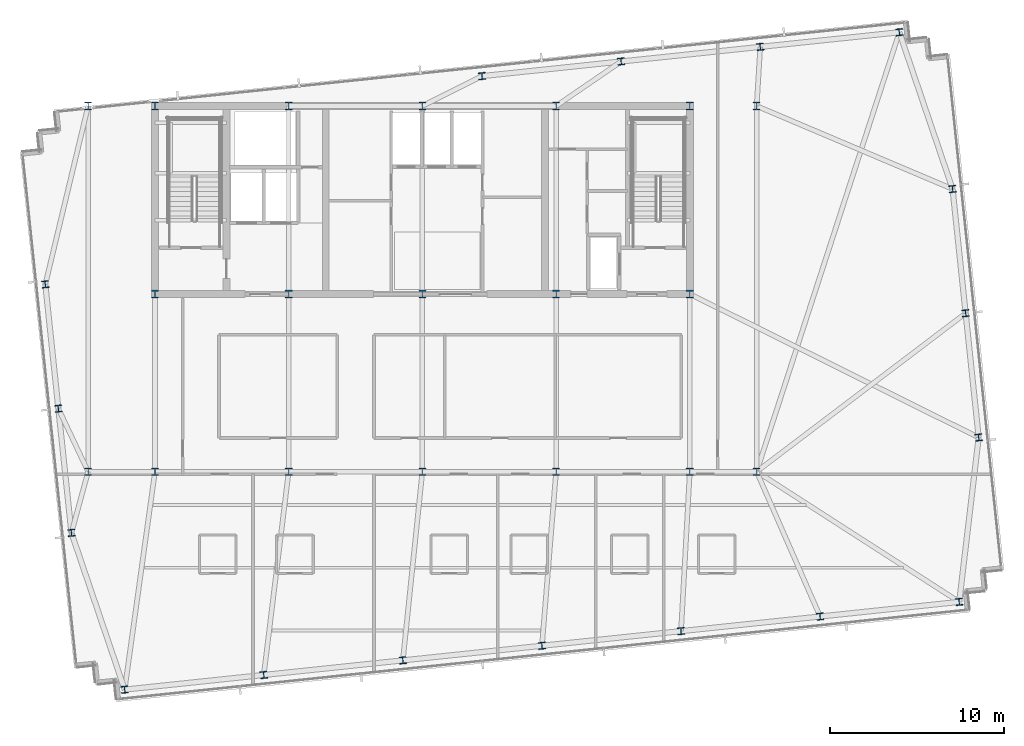
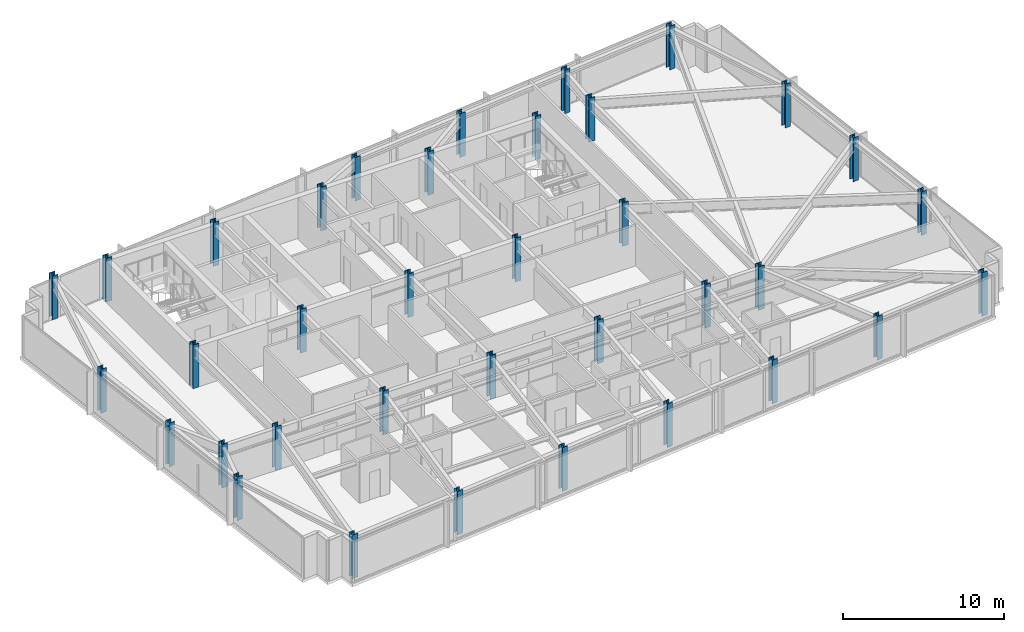
# One storey, part 1 of 33: 36 columns.
"""IFC4 building model written with IfcOpenShell, lengths in metres."""

import ifcopenshell
import ifcopenshell.guid

model = None  # the IFC model being written
_history = None  # IfcOwnerHistory: only IFC2X3 demands one
_inside = {}  # id of a spatial element -> (the spatial element, [elements in it])
_under = {}  # id of a project, library or spatial element -> (it, [spatial elements below it])
_declared = {}  # id of a project -> (the project, [libraries it declares])
_typed = {}  # id of a type object -> (the type object, [elements of that type])
_made_of = {}  # id of a material, layer set ... -> (it, [elements and type objects made of it])


def new_model(schema):
    """Start an empty IFC model of exactly this schema.

    Asked for "IFC4X3", IfcOpenShell would pick the latest addendum, in which some entities
    have other attributes; the version numbers below select the first issue.
    IFC2X3 requires an IfcOwnerHistory on every rooted entity: one is made here for all.
    """
    global model, _history
    if schema == "IFC4X3":
        model = ifcopenshell.file(schema_version=(4, 3, 0, 0))
    else:
        model = ifcopenshell.file(schema=schema)
    _inside.clear()
    _under.clear()
    _declared.clear()
    _typed.clear()
    _made_of.clear()
    _history = None
    if model.schema == "IFC2X3":
        org = make("IfcOrganization", Name="unknown")
        user = make(
            "IfcPersonAndOrganization",
            ThePerson=make("IfcPerson", FamilyName="unknown"),
            TheOrganization=org,
        )
        app = make(
            "IfcApplication",
            ApplicationDeveloper=org,
            Version="unknown",
            ApplicationFullName="unknown",
            ApplicationIdentifier="unknown",
        )
        _history = make(
            "IfcOwnerHistory",
            OwningUser=user,
            OwningApplication=app,
            ChangeAction="ADDED",
            CreationDate=0,
        )
    return model


def make(cls, **values):
    """One entity of the class cls with the attributes given. An attribute that is None is left unset."""
    return model.create_entity(
        cls, **{name: value for name, value in values.items() if value is not None}
    )


def rooted(cls, **values):
    """An entity with a GlobalId (a new one), such as an element, a storey or a relation."""
    return make(cls, GlobalId=ifcopenshell.guid.new(), OwnerHistory=_history, **values)


def si_unit(unit_type, name, prefix=None):
    """IfcSIUnit, for example si_unit("LENGTHUNIT", "METRE", prefix="MILLI")."""
    return make("IfcSIUnit", UnitType=unit_type, Prefix=prefix, Name=name)


def assignment(units):
    """IfcUnitAssignment: the units of a project."""
    return None if units is None else make("IfcUnitAssignment", Units=units)


def point(xyz):
    """IfcCartesianPoint."""
    return None if xyz is None else make("IfcCartesianPoint", Coordinates=xyz)


def direction(xyz):
    """IfcDirection."""
    return None if xyz is None else make("IfcDirection", DirectionRatios=xyz)


def frame(location, z_axis=None, x_axis=None):
    """IfcAxis2Placement3D, a coordinate frame: its origin and axes. An axis left out is left unset."""
    return make(
        "IfcAxis2Placement3D",
        Location=point(location),
        Axis=direction(z_axis),
        RefDirection=direction(x_axis),
    )


def frame_2d(location, x_axis=None):
    """IfcAxis2Placement2D, a coordinate frame in the plane: its origin and x axis."""
    return make(
        "IfcAxis2Placement2D", Location=point(location), RefDirection=direction(x_axis)
    )


def origin():
    """The frame at (0, 0, 0) with its axes left unset."""
    return frame((0.0, 0.0, 0.0))


def origin_2d():
    """The frame at (0, 0) in the plane with its x axis left unset."""
    return frame_2d((0.0, 0.0))


def place(relative_to, where):
    """IfcLocalPlacement: puts the frame where relative to a parent placement (None: the world)."""
    return make(
        "IfcLocalPlacement", PlacementRelTo=relative_to, RelativePlacement=where
    )


def context(
    kind, dimensions, precision=None, world=None, true_north=None, identifier=None
):
    """IfcGeometricRepresentationContext, for example the 3D "Model" context."""
    return make(
        "IfcGeometricRepresentationContext",
        ContextIdentifier=identifier,
        ContextType=kind,
        CoordinateSpaceDimension=dimensions,
        Precision=precision,
        WorldCoordinateSystem=world,
        TrueNorth=true_north,
    )


def subcontext(parent, identifier, kind, view, scale=None):
    """IfcGeometricRepresentationSubContext, for example "Body" below "Model"."""
    return make(
        "IfcGeometricRepresentationSubContext",
        ContextIdentifier=identifier,
        ContextType=kind,
        ParentContext=parent,
        TargetScale=scale,
        TargetView=view,
    )


def project(units=None, contexts=None):
    """IfcProject with its units and contexts."""
    return rooted(
        "IfcProject",
        Name="project",
        RepresentationContexts=contexts,
        UnitsInContext=assignment(units),
    )


def spatial(cls, under=None, at=None, **own):
    """A site, building, storey or space (cls), placed at a placement, below another one or the project."""
    s = rooted(cls, ObjectPlacement=at, **own)
    if under is not None:
        _under.setdefault(under.id(), (under, []))[1].append(s)
    return s


def profile(cls, at=None, kind="AREA", **sizes):
    """A parametric profile (cls). Its sizes go by their IFC names, for example OverallWidth=200.0."""
    return make(cls, ProfileType=kind, Position=at, **sizes)


def i_section(**sizes):
    """IfcIShapeProfileDef."""
    return profile("IfcIShapeProfileDef", **sizes)


def extrude(swept, where, along, depth):
    """IfcExtrudedAreaSolid: the profile swept, set in the frame where, extruded along a direction by depth."""
    return make(
        "IfcExtrudedAreaSolid",
        SweptArea=swept,
        Position=where,
        ExtrudedDirection=direction(along),
        Depth=depth,
    )


def shape(context_of_items, identifier, shape_type, items):
    """IfcShapeRepresentation: the items that make up one representation, for example the "Body"."""
    return make(
        "IfcShapeRepresentation",
        ContextOfItems=context_of_items,
        RepresentationIdentifier=identifier,
        RepresentationType=shape_type,
        Items=items,
    )


def material(Name=None, Category=None):
    """IfcMaterial."""
    return make("IfcMaterial", Name=Name, Category=Category)


def material_profile(
    of_material, cross_section, Name=None, Category=None, Priority=None
):
    """IfcMaterialProfile: a cross section and its material."""
    return make(
        "IfcMaterialProfile",
        Name=Name,
        Material=of_material,
        Profile=cross_section,
        Priority=Priority,
        Category=Category,
    )


def profile_set(profiles, Name=None, composite=None):
    """IfcMaterialProfileSet."""
    return make(
        "IfcMaterialProfileSet",
        Name=Name,
        MaterialProfiles=profiles,
        CompositeProfile=composite,
    )


def made_of(thing, what):
    """Note that an element or type object is made of a material, layer set ...; save() writes the relation."""
    if what is not None:
        _made_of.setdefault(what.id(), (what, []))[1].append(thing)
    return thing


def type_object(cls, material=None, **own):
    """A type object (cls), such as IfcWallType, which elements share."""
    return made_of(rooted(cls, **own), material)


def element(
    cls,
    number,
    at=None,
    inside=None,
    cuts=None,
    type_object=None,
    material=None,
    context=None,
    identifier="Body",
    shape_type=None,
    held_by="IfcProductDefinitionShape",
    body=None,
    shapes=None,
    **own,
):
    """One element of the class cls, such as IfcWall. Its Tag is "e" and its number.

    at: its placement. inside: the storey or other place that contains it. cuts: it is an
    opening in that element (IfcRelVoidsElement). A single representation is given by context,
    identifier, shape_type and body (its items); several are given by shapes. held_by: the class
    of the entity that holds the representations. save() writes the other relations.
    """
    e = rooted(cls, Tag="e%d" % number, ObjectPlacement=at, **own)
    if body is not None:
        shapes = [shape(context, identifier, shape_type, body)]
    if shapes is not None:
        e.Representation = make(held_by, Representations=shapes)
    if inside is not None:
        _inside.setdefault(inside.id(), (inside, []))[1].append(e)
    if cuts is not None:
        rooted(
            "IfcRelVoidsElement", RelatingBuildingElement=cuts, RelatedOpeningElement=e
        )
    if type_object is not None:
        _typed.setdefault(type_object.id(), (type_object, []))[1].append(e)
    return made_of(e, material)


def aggregate(whole, parts):
    """IfcRelAggregates: a whole, such as a stair, and the parts it consists of."""
    return rooted("IfcRelAggregates", RelatingObject=whole, RelatedObjects=parts)


def save(model, path):
    """Write the relations noted so far, then the file.

    IfcRelAggregates (storeys below a building ...), IfcRelContainedInSpatialStructure (elements
    in a storey), IfcRelDefinesByType, IfcRelAssociatesMaterial and IfcRelDeclares: one each for
    every whole, place, type object, material and project.
    """
    for whole, parts in _under.values():
        aggregate(whole, parts)
    for where, things in _inside.values():
        rooted(
            "IfcRelContainedInSpatialStructure",
            RelatedElements=things,
            RelatingStructure=where,
        )
    for kind, things in _typed.values():
        rooted("IfcRelDefinesByType", RelatedObjects=things, RelatingType=kind)
    for what, things in _made_of.values():
        rooted("IfcRelAssociatesMaterial", RelatedObjects=things, RelatingMaterial=what)
    for by, libraries in _declared.values():
        rooted("IfcRelDeclares", RelatingContext=by, RelatedDefinitions=libraries)
    model.write(path)


model = new_model("IFC4")

# Units and contexts
model_context = context("Model", 3, precision=1e-05, world=origin(), true_north=direction((0.0, 1.0)))
body_context = subcontext(model_context, "Body", "Model", "MODEL_VIEW")
ifc_project = project(units=[si_unit("LENGTHUNIT", "METRE"), si_unit("AREAUNIT", "SQUARE_METRE"), si_unit("VOLUMEUNIT", "CUBIC_METRE"), si_unit("PLANEANGLEUNIT", "RADIAN"), si_unit("MASSUNIT", "GRAM", prefix="KILO")], contexts=[model_context])

# Site, building, storey
site_placement = place(None, origin())
site = spatial("IfcSite", under=ifc_project, at=site_placement, CompositionType="ELEMENT")
building_placement = place(site_placement, origin())
building = spatial("IfcBuilding", under=site, at=building_placement, Name="Yelkora Congress Tower", CompositionType="ELEMENT")
storey_placement = place(building_placement, frame((0.0, 0.0, 237.5)))
storey = spatial("IfcBuildingStorey", under=building, at=storey_placement, Name="L66", CompositionType="ELEMENT", Elevation=237.5)

# Columns
ifc_material_1 = material(Name="Steel S355J2", Category="steel")
ifc_material_profile_1 = material_profile(ifc_material_1, i_section(OverallWidth=0.40087890625, OverallDepth=0.39892578125, WebThickness=0.02490234375, FlangeThickness=0.03955078125, FilletRadius=0.014892578125, at=origin_2d()), Name="HD 400x314")
ifc_profile_set_1 = profile_set([ifc_material_profile_1], Name="Steel S355J2")
column_type_1 = type_object("IfcColumnType", Name="COL-HD-314-EXT", PredefinedType="COLUMN", material=ifc_profile_set_1)
for number, where, z_axis, x_axis, name in (
    (1, (21.299072265625, 12.678466796875, 0.0), (0.0, 0.0, 1.0), (0.994521895368, 0.104528463268, 0.0), "L66 Perimeter Column S01"),
    (2, (29.288330078125, 13.518310546875, 0.0), (0.0, 0.0, 1.0), (0.994521895368, 0.104528463268, 0.0), "L66 Perimeter Column S02"),
    (3, (37.277587890625, 14.35791015625, 0.0), (0.0, 0.0, 1.0), (0.994521895368, 0.104528463268, 0.0), "L66 Perimeter Column S03"),
    (4, (45.26708984375, 15.197509765625, 0.0), (0.0, 0.0, 1.0), (0.994521895368, 0.104528463268, 0.0), "L66 Perimeter Column S04"),
    (5, (53.25634765625, 16.037353515625, 0.0), (0.0, 0.0, 1.0), (0.994521895368, 0.104528463268, 0.0), "L66 Perimeter Column S05"),
    (6, (61.24560546875, 16.877197265625, 0.0), (0.0, 0.0, 1.0), (0.994521895368, 0.104528463268, 0.0), "L66 Perimeter Column S06"),
    (7, (69.235107421875, 17.716796875, 0.0), (0.0, 0.0, 1.0), (0.994521895368, 0.104528463268, 0.0), "L66 Perimeter Column S07"),
    (8, (41.828125, 47.91748046875, 0.0), (0.0, 0.0, 1.0), (0.994521895368, 0.104528463268, 0.0), "L66 Perimeter Column N04"),
    (9, (49.8173828125, 48.757080078125, 0.0), (0.0, 0.0, 1.0), (0.994521895368, 0.104528463268, 0.0), "L66 Perimeter Column N05"),
    (10, (57.806640625, 49.5966796875, 0.0), (0.0, 0.0, 1.0), (0.994521895368, 0.104528463268, 0.0), "L66 Perimeter Column N06"),
    (11, (65.7958984375, 50.4365234375, 0.0), (0.0, 0.0, 1.0), (0.994521895368, 0.104528463268, 0.0), "L66 Perimeter Column N07"),
    (12, (18.2412109375, 21.68310546875, 0.0), (0.0, 0.0, 1.0), (0.994521895368, 0.104528463268, 0.0), "L66 Perimeter Column W01"),
    (13, (70.35400390625, 27.160400390625, 0.0), (0.0, 0.0, 1.0), (0.994521895368, 0.104528463268, 0.0), "L66 Perimeter Column E01"),
    (14, (17.4912109375, 28.81884765625, 0.0), (0.0, 0.0, 1.0), (0.994521895368, 0.104528463268, 0.0), "L66 Perimeter Column W02"),
    (15, (69.60400390625, 34.296142578125, 0.0), (0.0, 0.0, 1.0), (0.994521895368, 0.104528463268, 0.0), "L66 Perimeter Column E02"),
    (16, (16.7412109375, 35.95458984375, 0.0), (0.0, 0.0, 1.0), (0.994521895368, 0.104528463268, 0.0), "L66 Perimeter Column W03"),
    (17, (68.85400390625, 41.431884765625, 0.0), (0.0, 0.0, 1.0), (0.994521895368, 0.104528463268, 0.0), "L66 Perimeter Column E03"),
):
    element("IfcColumn", number, at=place(storey_placement, frame(where, z_axis=z_axis, x_axis=x_axis)), inside=storey, type_object=column_type_1, Name=name, PredefinedType="COLUMN", context=body_context, shape_type="SweptSolid", body=[
        extrude(i_section(OverallWidth=0.40087890625, OverallDepth=0.39892578125, WebThickness=0.02490234375, FlangeThickness=0.03955078125, FilletRadius=0.014892578125, at=origin_2d()), origin(), (0.0, 0.0, 1.0), 3.300048828125),
    ])
ifc_material_2 = material(Name="Steel S460M", Category="steel")
ifc_material_profile_2 = material_profile(ifc_material_2, i_section(OverallWidth=0.412109375, OverallDepth=0.43505859375, WebThickness=0.035888671875, FlangeThickness=0.05810546875, FilletRadius=0.014892578125, at=origin_2d()), Name="HD 400x463")
ifc_profile_set_2 = profile_set([ifc_material_profile_2], Name="Steel S460M")
column_type_2 = type_object("IfcColumnType", Name="COL-HD-463", PredefinedType="COLUMN", material=ifc_profile_set_2)
for number, where, z_axis, x_axis, name in (
    (18, (23.0400390625, 35.39990234375, 0.0), (0.0, 0.0, 1.0), (1.0, 0.0, 0.0), "L66 Mega Column MC-S1"),
    (19, (23.0400390625, 46.199951171875, 0.0), (0.0, 0.0, 1.0), (1.0, 0.0, 0.0), "L66 Mega Column MC-N1"),
    (20, (23.0400390625, 25.199951171875, 0.0), (0.0, 0.0, 1.0), (1.0, 0.0, 0.0), "L66 Mega Column MC-D1"),
    (21, (30.719970703125, 35.39990234375, 0.0), (0.0, 0.0, 1.0), (1.0, 0.0, 0.0), "L66 Mega Column MC-S2"),
    (22, (30.719970703125, 46.199951171875, 0.0), (0.0, 0.0, 1.0), (1.0, 0.0, 0.0), "L66 Mega Column MC-N2"),
    (23, (30.719970703125, 25.199951171875, 0.0), (0.0, 0.0, 1.0), (1.0, 0.0, 0.0), "L66 Mega Column MC-D2"),
    (24, (38.39990234375, 35.39990234375, 0.0), (0.0, 0.0, 1.0), (1.0, 0.0, 0.0), "L66 Mega Column MC-S3"),
    (25, (38.39990234375, 46.199951171875, 0.0), (0.0, 0.0, 1.0), (1.0, 0.0, 0.0), "L66 Mega Column MC-N3"),
    (26, (38.39990234375, 25.199951171875, 0.0), (0.0, 0.0, 1.0), (1.0, 0.0, 0.0), "L66 Mega Column MC-D3"),
    (27, (46.080078125, 35.39990234375, 0.0), (0.0, 0.0, 1.0), (1.0, 0.0, 0.0), "L66 Mega Column MC-S4"),
    (28, (46.080078125, 46.199951171875, 0.0), (0.0, 0.0, 1.0), (1.0, 0.0, 0.0), "L66 Mega Column MC-N4"),
    (29, (46.080078125, 25.199951171875, 0.0), (0.0, 0.0, 1.0), (1.0, 0.0, 0.0), "L66 Mega Column MC-D4"),
    (30, (53.760009765625, 35.39990234375, 0.0), (0.0, 0.0, 1.0), (1.0, 0.0, 0.0), "L66 Mega Column MC-S5"),
    (31, (53.760009765625, 46.199951171875, 0.0), (0.0, 0.0, 1.0), (1.0, 0.0, 0.0), "L66 Mega Column MC-N5"),
    (32, (53.760009765625, 25.199951171875, 0.0), (0.0, 0.0, 1.0), (1.0, 0.0, 0.0), "L66 Mega Column MC-D5"),
    (33, (19.199951171875, 25.199951171875, 0.0), (0.0, 0.0, 1.0), (1.0, 0.0, 0.0), "L66 Mega Column MC-F1"),
    (34, (57.60009765625, 25.199951171875, 0.0), (0.0, 0.0, 1.0), (1.0, 0.0, 0.0), "L66 Mega Column MC-F2"),
    (35, (19.199951171875, 46.199951171875, 0.0), (0.0, 0.0, 1.0), (1.0, 0.0, 0.0), "L66 Mega Column MC-F3"),
    (36, (57.60009765625, 46.199951171875, 0.0), (0.0, 0.0, 1.0), (1.0, 0.0, 0.0), "L66 Mega Column MC-F4"),
):
    element("IfcColumn", number, at=place(storey_placement, frame(where, z_axis=z_axis, x_axis=x_axis)), inside=storey, type_object=column_type_2, Name=name, PredefinedType="COLUMN", context=body_context, shape_type="SweptSolid", body=[
        extrude(i_section(OverallWidth=0.412109375, OverallDepth=0.43505859375, WebThickness=0.035888671875, FlangeThickness=0.05810546875, FilletRadius=0.014892578125, at=origin_2d()), origin(), (0.0, 0.0, 1.0), 3.300048828125),
    ])

save(model, "model.ifc")
